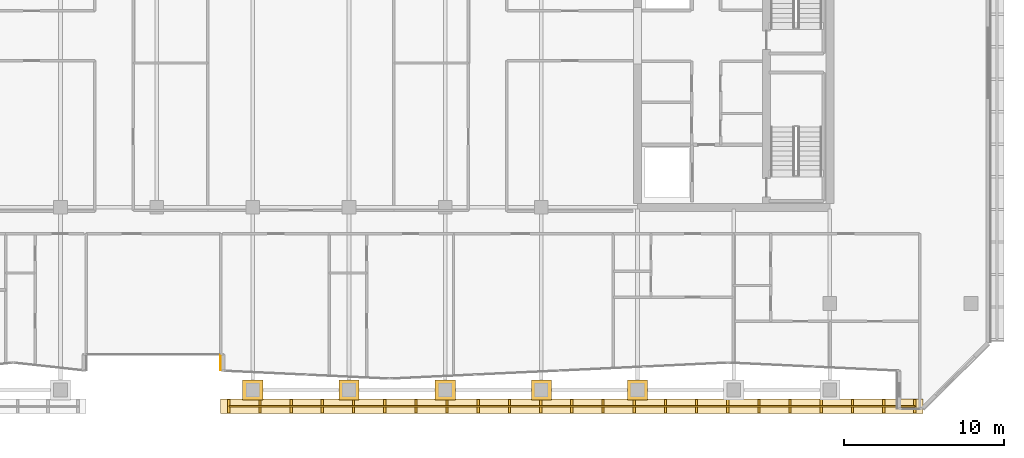
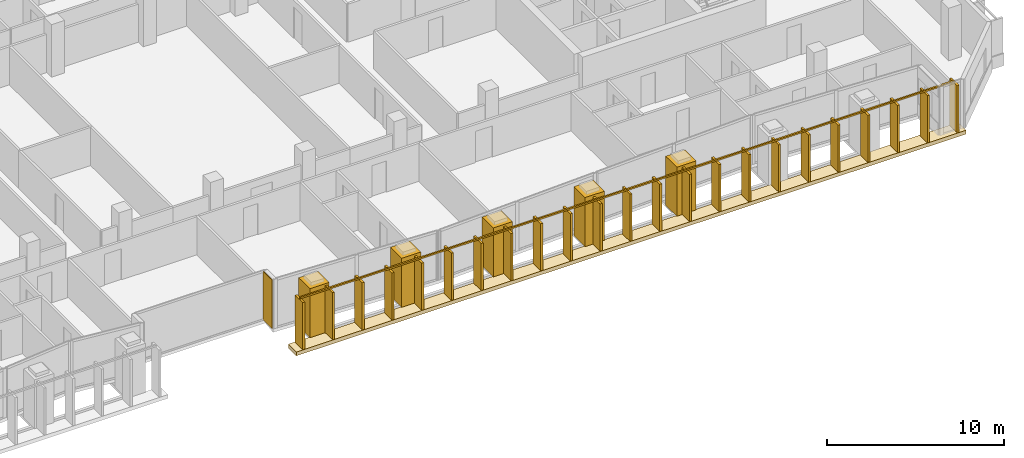
# One storey, part 27 of 29: 7 coverings, 1 railing.
"""IFC4 building model written with IfcOpenShell, lengths in metres."""

from ifc_helpers import new_model, si_unit, direction, frame, origin, origin_2d, place, context, subcontext, project, spatial, rectangle, extrude, material, layer, layer_set, type_object, element, save


model = new_model("IFC4")

# Units and contexts
model_context = context("Model", 3, precision=1e-05, world=origin(), true_north=direction((0.0, 1.0)))
body_context = subcontext(model_context, "Body", "Model", "MODEL_VIEW")
ifc_project = project(units=[si_unit("LENGTHUNIT", "METRE"), si_unit("AREAUNIT", "SQUARE_METRE"), si_unit("VOLUMEUNIT", "CUBIC_METRE"), si_unit("PLANEANGLEUNIT", "RADIAN"), si_unit("MASSUNIT", "GRAM", prefix="KILO")], contexts=[model_context])

# Site, building, storey
site_placement = place(None, origin())
site = spatial("IfcSite", under=ifc_project, at=site_placement, CompositionType="ELEMENT")
building_placement = place(site_placement, origin())
building = spatial("IfcBuilding", under=site, at=building_placement, Name="Tanjung Sevakor Pilgrim Tower", CompositionType="ELEMENT")
storey_placement = place(building_placement, frame((0.0, 0.0, 162.030029296875)))
storey = spatial("IfcBuildingStorey", under=building, at=storey_placement, Name="L45", CompositionType="ELEMENT", Elevation=162.030029296875)

# Coverings
ifc_material_1 = material(Name="Reconstructed Limestone Cladding", Category="masonry")
ifc_layer = layer(ifc_material_1, 0.044921875)
ifc_layer_set = layer_set([ifc_layer], Name="COV-CLAD-LIMESTONE")
covering_type = type_object("IfcCoveringType", Name="COV-CLAD-LIMESTONE", PredefinedType="CLADDING", material=ifc_layer_set)
covering_1_placement = place(storey_placement, frame((51.9775390625, 14.912109375, 0.02001953125), z_axis=(0.0, 0.0, 1.0), x_axis=(0.0, -1.0, 0.0)))
element("IfcCovering", 1, at=covering_1_placement, inside=storey, type_object=covering_type, Name="L45 Warm Limestone Wall Cladding EW-L45-MAIN-9", PredefinedType="CLADDING", context=body_context, shape_type="SweptSolid", body=[
    extrude(rectangle(XDim=0.98583984375, YDim=0.044921875, at=origin_2d()), origin(), (0.0, 0.0, 1.0), 3.3701171875),
])
for number, where, z_axis, x_axis, name in (
    (2, (54.0, 13.199951171875, 0.01025390625), (0.0, 0.0, 1.0), (1.0, 0.0, 0.0), "L45 Colonnade Pier Limestone Casing 29"),
    (3, (60.0, 13.199951171875, 0.01025390625), (0.0, 0.0, 1.0), (1.0, 0.0, 0.0), "L45 Colonnade Pier Limestone Casing 31"),
    (4, (66.0, 13.199951171875, 0.01025390625), (0.0, 0.0, 1.0), (1.0, 0.0, 0.0), "L45 Colonnade Pier Limestone Casing 33"),
    (5, (72.0, 13.199951171875, 0.01025390625), (0.0, 0.0, 1.0), (1.0, 0.0, 0.0), "L45 Colonnade Pier Limestone Casing 35"),
    (6, (78.0, 13.199951171875, 0.01025390625), (0.0, 0.0, 1.0), (1.0, 0.0, 0.0), "L45 Colonnade Pier Limestone Casing 37"),
):
    element("IfcCovering", number, at=place(storey_placement, frame(where, z_axis=z_axis, x_axis=x_axis)), inside=storey, type_object=covering_type, Name=name, PredefinedType="CLADDING", context=body_context, shape_type="SweptSolid", body=[
        extrude(rectangle(XDim=1.260009765625, YDim=1.260009765625, at=origin_2d()), origin(), (0.0, 0.0, 1.0), 3.389892578125),
    ])
covering_2_placement = place(storey_placement, frame((73.89990234375, 12.179931640625, -0.25), z_axis=(0.0, 0.0, 1.0), x_axis=(1.0, 0.0, 0.0)))
element("IfcCovering", 7, at=covering_2_placement, inside=storey, type_object=covering_type, Name="L45 S-Curve Outer Fin Tie Sill SE", PredefinedType="CLADDING", context=body_context, shape_type="SweptSolid", body=[
    extrude(rectangle(XDim=43.800048828125, YDim=0.89990234375, at=origin_2d()), origin(), (0.0, 0.0, 1.0), 0.260009765625),
])

# Railing
ifc_material_2 = material(Name="Anodised Bronze Aluminium 6063-T6", Category="aluminium")
railing_type = type_object("IfcRailingType", Name="RL-FIN-SCREEN", PredefinedType="BALUSTRADE", material=ifc_material_2)
railing_placement = place(storey_placement, frame((52.5, 12.179931640625, 0.0)))
element("IfcRailing", 8, at=railing_placement, inside=storey, type_object=railing_type, Name="L45 Vertical Bronze-Gold Solar Fin Screen FN-SCGAP-L45-SE-1", PredefinedType="BALUSTRADE", context=body_context, shape_type="SweptSolid", body=[
    extrude(rectangle(XDim=0.105, YDim=0.105), frame((0.0, 0.0, 3.317626953125), z_axis=(1.0, 0.0, 0.0), x_axis=(0.0, 1.0, 0.0)), (0.0, 0.0, 1.0), 42.800048828125),
    extrude(rectangle(XDim=0.14, YDim=0.85), origin(), (0.0, 0.0, 1.0), 3.26513671875),
    extrude(rectangle(XDim=0.14, YDim=0.85), frame((1.945556640625, 0.0, 0.0)), (0.0, 0.0, 1.0), 3.26513671875),
    extrude(rectangle(XDim=0.14, YDim=0.85), frame((3.890869140625, 0.0, 0.0)), (0.0, 0.0, 1.0), 3.26513671875),
    extrude(rectangle(XDim=0.14, YDim=0.85), frame((5.83642578125, 0.0, 0.0)), (0.0, 0.0, 1.0), 3.26513671875),
    extrude(rectangle(XDim=0.14, YDim=0.85), frame((7.78173828125, 0.0, 0.0)), (0.0, 0.0, 1.0), 3.26513671875),
    extrude(rectangle(XDim=0.14, YDim=0.85), frame((9.727294921875, 0.0, 0.0)), (0.0, 0.0, 1.0), 3.26513671875),
    extrude(rectangle(XDim=0.14, YDim=0.85), frame((11.6728515625, 0.0, 0.0)), (0.0, 0.0, 1.0), 3.26513671875),
    extrude(rectangle(XDim=0.14, YDim=0.85), frame((13.6181640625, 0.0, 0.0)), (0.0, 0.0, 1.0), 3.26513671875),
    extrude(rectangle(XDim=0.14, YDim=0.85), frame((15.563720703125, 0.0, 0.0)), (0.0, 0.0, 1.0), 3.26513671875),
    extrude(rectangle(XDim=0.14, YDim=0.85), frame((17.509033203125, 0.0, 0.0)), (0.0, 0.0, 1.0), 3.26513671875),
    extrude(rectangle(XDim=0.14, YDim=0.85), frame((19.45458984375, 0.0, 0.0)), (0.0, 0.0, 1.0), 3.26513671875),
    extrude(rectangle(XDim=0.14, YDim=0.85), frame((21.39990234375, 0.0, 0.0)), (0.0, 0.0, 1.0), 3.26513671875),
    extrude(rectangle(XDim=0.14, YDim=0.85), frame((23.345458984375, 0.0, 0.0)), (0.0, 0.0, 1.0), 3.26513671875),
    extrude(rectangle(XDim=0.14, YDim=0.85), frame((25.291015625, 0.0, 0.0)), (0.0, 0.0, 1.0), 3.26513671875),
    extrude(rectangle(XDim=0.14, YDim=0.85), frame((27.236328125, 0.0, 0.0)), (0.0, 0.0, 1.0), 3.26513671875),
    extrude(rectangle(XDim=0.14, YDim=0.85), frame((29.181884765625, 0.0, 0.0)), (0.0, 0.0, 1.0), 3.26513671875),
    extrude(rectangle(XDim=0.14, YDim=0.85), frame((31.127197265625, 0.0, 0.0)), (0.0, 0.0, 1.0), 3.26513671875),
    extrude(rectangle(XDim=0.14, YDim=0.85), frame((33.07275390625, 0.0, 0.0)), (0.0, 0.0, 1.0), 3.26513671875),
    extrude(rectangle(XDim=0.14, YDim=0.85), frame((35.018310546875, 0.0, 0.0)), (0.0, 0.0, 1.0), 3.26513671875),
    extrude(rectangle(XDim=0.14, YDim=0.85), frame((36.963623046875, 0.0, 0.0)), (0.0, 0.0, 1.0), 3.26513671875),
    extrude(rectangle(XDim=0.14, YDim=0.85), frame((38.9091796875, 0.0, 0.0)), (0.0, 0.0, 1.0), 3.26513671875),
    extrude(rectangle(XDim=0.14, YDim=0.85), frame((40.8544921875, 0.0, 0.0)), (0.0, 0.0, 1.0), 3.26513671875),
    extrude(rectangle(XDim=0.14, YDim=0.85), frame((42.800048828125, 0.0, 0.0)), (0.0, 0.0, 1.0), 3.26513671875),
])

save(model, "model.ifc")
